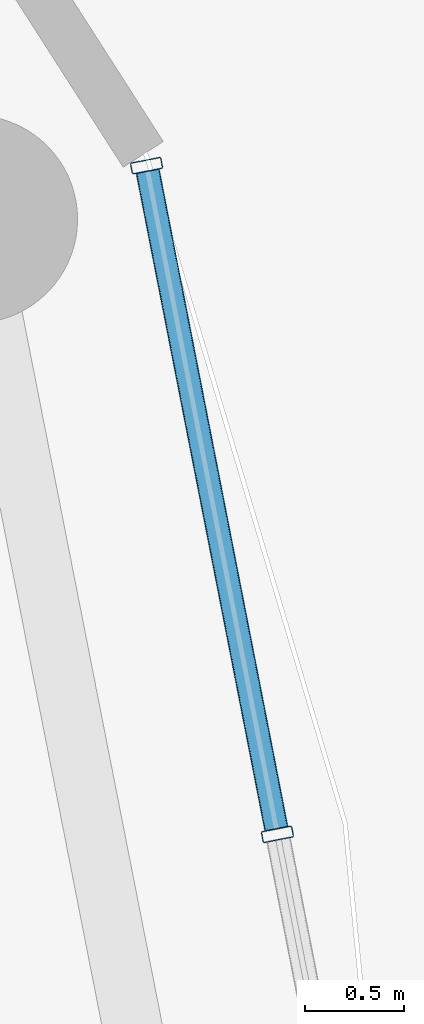
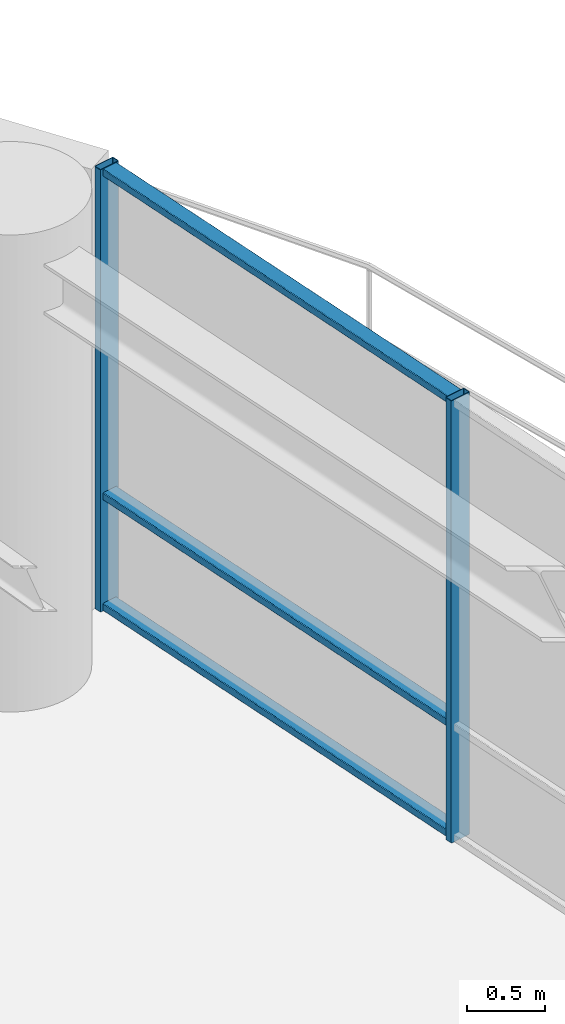
# One storey, part 16 of 31: 5 members, 1 element without a shape of its own.
"""IFC4 building model written with IfcOpenShell, lengths in metres."""

import ifcopenshell
import ifcopenshell.guid

model = None  # the IFC model being written
_history = None  # IfcOwnerHistory: only IFC2X3 demands one
_inside = {}  # id of a spatial element -> (the spatial element, [elements in it])
_under = {}  # id of a project, library or spatial element -> (it, [spatial elements below it])
_declared = {}  # id of a project -> (the project, [libraries it declares])
_typed = {}  # id of a type object -> (the type object, [elements of that type])
_made_of = {}  # id of a material, layer set ... -> (it, [elements and type objects made of it])


def new_model(schema):
    """Start an empty IFC model of exactly this schema.

    Asked for "IFC4X3", IfcOpenShell would pick the latest addendum, in which some entities
    have other attributes; the version numbers below select the first issue.
    IFC2X3 requires an IfcOwnerHistory on every rooted entity: one is made here for all.
    """
    global model, _history
    if schema == "IFC4X3":
        model = ifcopenshell.file(schema_version=(4, 3, 0, 0))
    else:
        model = ifcopenshell.file(schema=schema)
    _inside.clear()
    _under.clear()
    _declared.clear()
    _typed.clear()
    _made_of.clear()
    _history = None
    if model.schema == "IFC2X3":
        org = make("IfcOrganization", Name="unknown")
        user = make(
            "IfcPersonAndOrganization",
            ThePerson=make("IfcPerson", FamilyName="unknown"),
            TheOrganization=org,
        )
        app = make(
            "IfcApplication",
            ApplicationDeveloper=org,
            Version="unknown",
            ApplicationFullName="unknown",
            ApplicationIdentifier="unknown",
        )
        _history = make(
            "IfcOwnerHistory",
            OwningUser=user,
            OwningApplication=app,
            ChangeAction="ADDED",
            CreationDate=0,
        )
    return model


def make(cls, **values):
    """One entity of the class cls with the attributes given. An attribute that is None is left unset."""
    return model.create_entity(
        cls, **{name: value for name, value in values.items() if value is not None}
    )


def rooted(cls, **values):
    """An entity with a GlobalId (a new one), such as an element, a storey or a relation."""
    return make(cls, GlobalId=ifcopenshell.guid.new(), OwnerHistory=_history, **values)


def si_unit(unit_type, name, prefix=None):
    """IfcSIUnit, for example si_unit("LENGTHUNIT", "METRE", prefix="MILLI")."""
    return make("IfcSIUnit", UnitType=unit_type, Prefix=prefix, Name=name)


def assignment(units):
    """IfcUnitAssignment: the units of a project."""
    return None if units is None else make("IfcUnitAssignment", Units=units)


def point(xyz):
    """IfcCartesianPoint."""
    return None if xyz is None else make("IfcCartesianPoint", Coordinates=xyz)


def direction(xyz):
    """IfcDirection."""
    return None if xyz is None else make("IfcDirection", DirectionRatios=xyz)


def frame(location, z_axis=None, x_axis=None):
    """IfcAxis2Placement3D, a coordinate frame: its origin and axes. An axis left out is left unset."""
    return make(
        "IfcAxis2Placement3D",
        Location=point(location),
        Axis=direction(z_axis),
        RefDirection=direction(x_axis),
    )


def frame_2d(location, x_axis=None):
    """IfcAxis2Placement2D, a coordinate frame in the plane: its origin and x axis."""
    return make(
        "IfcAxis2Placement2D", Location=point(location), RefDirection=direction(x_axis)
    )


def origin():
    """The frame at (0, 0, 0) with its axes left unset."""
    return frame((0.0, 0.0, 0.0))


def origin_2d():
    """The frame at (0, 0) in the plane with its x axis left unset."""
    return frame_2d((0.0, 0.0))


def place(relative_to, where):
    """IfcLocalPlacement: puts the frame where relative to a parent placement (None: the world)."""
    return make(
        "IfcLocalPlacement", PlacementRelTo=relative_to, RelativePlacement=where
    )


def context(
    kind, dimensions, precision=None, world=None, true_north=None, identifier=None
):
    """IfcGeometricRepresentationContext, for example the 3D "Model" context."""
    return make(
        "IfcGeometricRepresentationContext",
        ContextIdentifier=identifier,
        ContextType=kind,
        CoordinateSpaceDimension=dimensions,
        Precision=precision,
        WorldCoordinateSystem=world,
        TrueNorth=true_north,
    )


def subcontext(parent, identifier, kind, view, scale=None):
    """IfcGeometricRepresentationSubContext, for example "Body" below "Model"."""
    return make(
        "IfcGeometricRepresentationSubContext",
        ContextIdentifier=identifier,
        ContextType=kind,
        ParentContext=parent,
        TargetScale=scale,
        TargetView=view,
    )


def project(units=None, contexts=None):
    """IfcProject with its units and contexts."""
    return rooted(
        "IfcProject",
        Name="project",
        RepresentationContexts=contexts,
        UnitsInContext=assignment(units),
    )


def spatial(cls, under=None, at=None, **own):
    """A site, building, storey or space (cls), placed at a placement, below another one or the project."""
    s = rooted(cls, ObjectPlacement=at, **own)
    if under is not None:
        _under.setdefault(under.id(), (under, []))[1].append(s)
    return s


def profile(cls, at=None, kind="AREA", **sizes):
    """A parametric profile (cls). Its sizes go by their IFC names, for example OverallWidth=200.0."""
    return make(cls, ProfileType=kind, Position=at, **sizes)


def hollow_rectangle(**sizes):
    """IfcRectangleHollowProfileDef."""
    return profile("IfcRectangleHollowProfileDef", **sizes)


def extrude(swept, where, along, depth):
    """IfcExtrudedAreaSolid: the profile swept, set in the frame where, extruded along a direction by depth."""
    return make(
        "IfcExtrudedAreaSolid",
        SweptArea=swept,
        Position=where,
        ExtrudedDirection=direction(along),
        Depth=depth,
    )


def shape(context_of_items, identifier, shape_type, items):
    """IfcShapeRepresentation: the items that make up one representation, for example the "Body"."""
    return make(
        "IfcShapeRepresentation",
        ContextOfItems=context_of_items,
        RepresentationIdentifier=identifier,
        RepresentationType=shape_type,
        Items=items,
    )


def material(Name=None, Category=None):
    """IfcMaterial."""
    return make("IfcMaterial", Name=Name, Category=Category)


def layer(
    of_material, thickness, ventilated=None, Name=None, Category=None, Priority=None
):
    """IfcMaterialLayer: one layer of a wall or slab, of a material (None: an air gap)."""
    return make(
        "IfcMaterialLayer",
        Material=of_material,
        LayerThickness=thickness,
        IsVentilated=ventilated,
        Name=Name,
        Category=Category,
        Priority=Priority,
    )


def layer_set(layers, Name=None):
    """IfcMaterialLayerSet."""
    return make("IfcMaterialLayerSet", MaterialLayers=layers, LayerSetName=Name)


def material_profile(
    of_material, cross_section, Name=None, Category=None, Priority=None
):
    """IfcMaterialProfile: a cross section and its material."""
    return make(
        "IfcMaterialProfile",
        Name=Name,
        Material=of_material,
        Profile=cross_section,
        Priority=Priority,
        Category=Category,
    )


def profile_set(profiles, Name=None, composite=None):
    """IfcMaterialProfileSet."""
    return make(
        "IfcMaterialProfileSet",
        Name=Name,
        MaterialProfiles=profiles,
        CompositeProfile=composite,
    )


def made_of(thing, what):
    """Note that an element or type object is made of a material, layer set ...; save() writes the relation."""
    if what is not None:
        _made_of.setdefault(what.id(), (what, []))[1].append(thing)
    return thing


def type_object(cls, material=None, **own):
    """A type object (cls), such as IfcWallType, which elements share."""
    return made_of(rooted(cls, **own), material)


def element(
    cls,
    number,
    at=None,
    inside=None,
    cuts=None,
    type_object=None,
    material=None,
    context=None,
    identifier="Body",
    shape_type=None,
    held_by="IfcProductDefinitionShape",
    body=None,
    shapes=None,
    **own,
):
    """One element of the class cls, such as IfcWall. Its Tag is "e" and its number.

    at: its placement. inside: the storey or other place that contains it. cuts: it is an
    opening in that element (IfcRelVoidsElement). A single representation is given by context,
    identifier, shape_type and body (its items); several are given by shapes. held_by: the class
    of the entity that holds the representations. save() writes the other relations.
    """
    e = rooted(cls, Tag="e%d" % number, ObjectPlacement=at, **own)
    if body is not None:
        shapes = [shape(context, identifier, shape_type, body)]
    if shapes is not None:
        e.Representation = make(held_by, Representations=shapes)
    if inside is not None:
        _inside.setdefault(inside.id(), (inside, []))[1].append(e)
    if cuts is not None:
        rooted(
            "IfcRelVoidsElement", RelatingBuildingElement=cuts, RelatedOpeningElement=e
        )
    if type_object is not None:
        _typed.setdefault(type_object.id(), (type_object, []))[1].append(e)
    return made_of(e, material)


def aggregate(whole, parts):
    """IfcRelAggregates: a whole, such as a stair, and the parts it consists of."""
    return rooted("IfcRelAggregates", RelatingObject=whole, RelatedObjects=parts)


def save(model, path):
    """Write the relations noted so far, then the file.

    IfcRelAggregates (storeys below a building ...), IfcRelContainedInSpatialStructure (elements
    in a storey), IfcRelDefinesByType, IfcRelAssociatesMaterial and IfcRelDeclares: one each for
    every whole, place, type object, material and project.
    """
    for whole, parts in _under.values():
        aggregate(whole, parts)
    for where, things in _inside.values():
        rooted(
            "IfcRelContainedInSpatialStructure",
            RelatedElements=things,
            RelatingStructure=where,
        )
    for kind, things in _typed.values():
        rooted("IfcRelDefinesByType", RelatedObjects=things, RelatingType=kind)
    for what, things in _made_of.values():
        rooted("IfcRelAssociatesMaterial", RelatedObjects=things, RelatingMaterial=what)
    for by, libraries in _declared.values():
        rooted("IfcRelDeclares", RelatingContext=by, RelatedDefinitions=libraries)
    model.write(path)


model = new_model("IFC4")

# Units and contexts
model_context = context("Model", 3, precision=1e-05, world=origin(), true_north=direction((0.0, 1.0)))
body_context = subcontext(model_context, "Body", "Model", "MODEL_VIEW")
ifc_project = project(units=[si_unit("LENGTHUNIT", "METRE"), si_unit("AREAUNIT", "SQUARE_METRE"), si_unit("VOLUMEUNIT", "CUBIC_METRE"), si_unit("PLANEANGLEUNIT", "RADIAN"), si_unit("MASSUNIT", "GRAM", prefix="KILO")], contexts=[model_context])

# Site, building, storey
site_placement = place(None, origin())
site = spatial("IfcSite", under=ifc_project, at=site_placement, CompositionType="ELEMENT")
building_placement = place(site_placement, origin())
building = spatial("IfcBuilding", under=site, at=building_placement, Name="Kelanora Arch Commons", CompositionType="ELEMENT")
storey_placement = place(building_placement, frame((0.0, 0.0, 219.449951171875)))
storey = spatial("IfcBuildingStorey", under=building, at=storey_placement, Name="L56", CompositionType="ELEMENT", Elevation=219.449951171875)

# Curtain wall, members
ifc_material_1 = material(Name="Terracotta ceramic-fritted low-E glass and aluminium", Category="masonry")
ifc_layer = layer(ifc_material_1, 0.175048828125)
ifc_layer_set = layer_set([ifc_layer], Name="Terracotta ceramic-fritted low-E glass and aluminium")
curtain_wall_type = type_object("IfcCurtainWallType", Name="CW-SYS-02", PredefinedType="NOTDEFINED", material=ifc_layer_set)
curtain_wall_placement = place(storey_placement, origin())
curtain_wall = element("IfcCurtainWall", 1, at=curtain_wall_placement, inside=storey, type_object=curtain_wall_type, Name="Unitised Curtain Wall L56-B00", PredefinedType="NOTDEFINED")
ifc_material_2 = material(Name="Powder-coated aluminium terracotta", Category="masonry")
ifc_material_profile_1 = material_profile(ifc_material_2, hollow_rectangle(XDim=0.159912109375, YDim=0.06005859375, WallThickness=0.0048828125, InnerFilletRadius=0.0048828125, OuterFilletRadius=0.010009765625, at=origin_2d()), Name="CWM160x60")
ifc_profile_set_1 = profile_set([ifc_material_profile_1], Name="Powder-coated aluminium terracotta")
member_type_1 = type_object("IfcMemberType", Name="CWM-STD", PredefinedType="MULLION", material=ifc_profile_set_1)
member_1_placement = place(storey_placement, frame((95.530517578125, 61.420166015625, 0.0), z_axis=(0.0, 0.0, 1.0), x_axis=(-0.981381438349, -0.192068926335, 0.0)))
member_1 = element("IfcMember", 2, at=member_1_placement, type_object=member_type_1, Name="CW-02 mullion 2", PredefinedType="MULLION", context=body_context, shape_type="SweptSolid", body=[
    extrude(hollow_rectangle(XDim=0.159912109375, YDim=0.06005859375, WallThickness=0.0048828125, InnerFilletRadius=0.0048828125, OuterFilletRadius=0.010009765625, at=origin_2d()), origin(), (0.0, 0.0, 1.0), 3.47509765625),
])
member_2_placement = place(storey_placement, frame((94.869873046875, 64.796142578125, 0.0), z_axis=(0.0, 0.0, 1.0), x_axis=(-0.981381438349, -0.192068926335, 0.0)))
member_2 = element("IfcMember", 3, at=member_2_placement, type_object=member_type_1, Name="CW-02 mullion 3", PredefinedType="MULLION", context=body_context, shape_type="SweptSolid", body=[
    extrude(hollow_rectangle(XDim=0.159912109375, YDim=0.06005859375, WallThickness=0.0048828125, InnerFilletRadius=0.0048828125, OuterFilletRadius=0.010009765625, at=origin_2d()), origin(), (0.0, 0.0, 1.0), 3.47509765625),
])
ifc_material_profile_2 = material_profile(ifc_material_2, hollow_rectangle(XDim=0.1201171875, YDim=0.06005859375, WallThickness=0.0048828125, InnerFilletRadius=0.0048828125, OuterFilletRadius=0.010009765625, at=origin_2d()), Name="CWT120x60")
ifc_profile_set_2 = profile_set([ifc_material_profile_2], Name="Powder-coated aluminium terracotta")
member_type_2 = type_object("IfcMemberType", Name="CWT-STD", PredefinedType="USERDEFINED", material=ifc_profile_set_2)
member_3_placement = place(storey_placement, frame((95.52490234375, 61.44970703125, 0.030029296875), z_axis=(-0.192058488005, 0.981383481207, 0.0), x_axis=(-0.981383481207, -0.192058488005, 0.0)))
member_3 = element("IfcMember", 4, at=member_3_placement, type_object=member_type_2, Name="CW-02 transom 2.1", ObjectType="TRANSOM", PredefinedType="USERDEFINED", context=body_context, shape_type="SweptSolid", body=[
    extrude(hollow_rectangle(XDim=0.1201171875, YDim=0.06005859375, WallThickness=0.0048828125, InnerFilletRadius=0.0048828125, OuterFilletRadius=0.010009765625, at=origin_2d()), origin(), (0.0, 0.0, 1.0), 3.380126953125),
])
member_4_placement = place(storey_placement, frame((95.52490234375, 61.44970703125, 0.900146484375), z_axis=(-0.192058488005, 0.981383481207, 0.0), x_axis=(-0.981383481207, -0.192058488005, 0.0)))
member_4 = element("IfcMember", 5, at=member_4_placement, type_object=member_type_2, Name="CW-02 transom 2.2", ObjectType="TRANSOM", PredefinedType="USERDEFINED", context=body_context, shape_type="SweptSolid", body=[
    extrude(hollow_rectangle(XDim=0.1201171875, YDim=0.06005859375, WallThickness=0.0048828125, InnerFilletRadius=0.0048828125, OuterFilletRadius=0.010009765625, at=origin_2d()), origin(), (0.0, 0.0, 1.0), 3.380126953125),
])
member_5_placement = place(storey_placement, frame((95.52490234375, 61.44970703125, 3.445068359375), z_axis=(-0.192058488005, 0.981383481207, 0.0), x_axis=(-0.981383481207, -0.192058488005, 0.0)))
member_5 = element("IfcMember", 6, at=member_5_placement, type_object=member_type_2, Name="CW-02 transom 2.3", ObjectType="TRANSOM", PredefinedType="USERDEFINED", context=body_context, shape_type="SweptSolid", body=[
    extrude(hollow_rectangle(XDim=0.1201171875, YDim=0.06005859375, WallThickness=0.0048828125, InnerFilletRadius=0.0048828125, OuterFilletRadius=0.010009765625, at=origin_2d()), origin(), (0.0, 0.0, 1.0), 3.380126953125),
])
aggregate(curtain_wall, [member_1, member_2, member_3, member_4, member_5])

save(model, "model.ifc")
